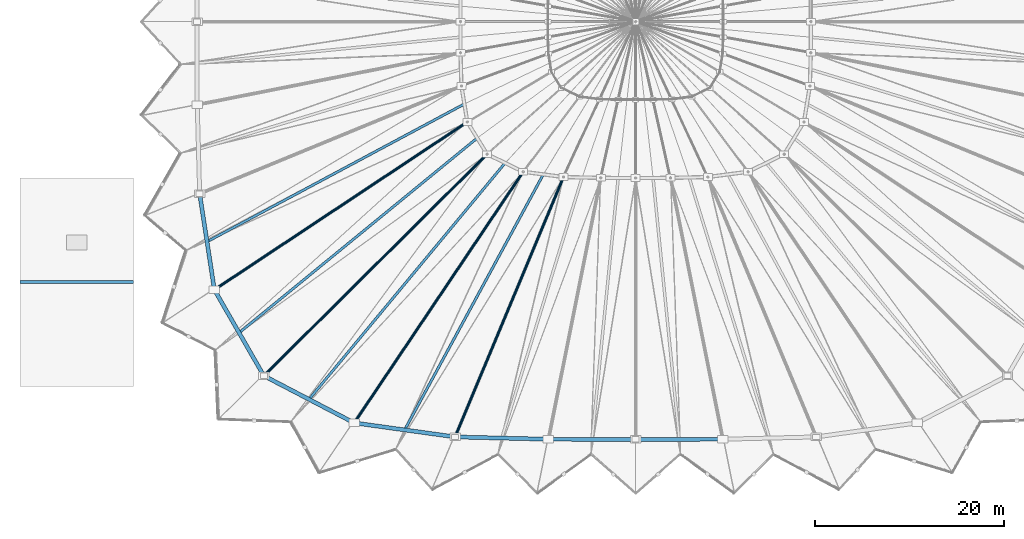
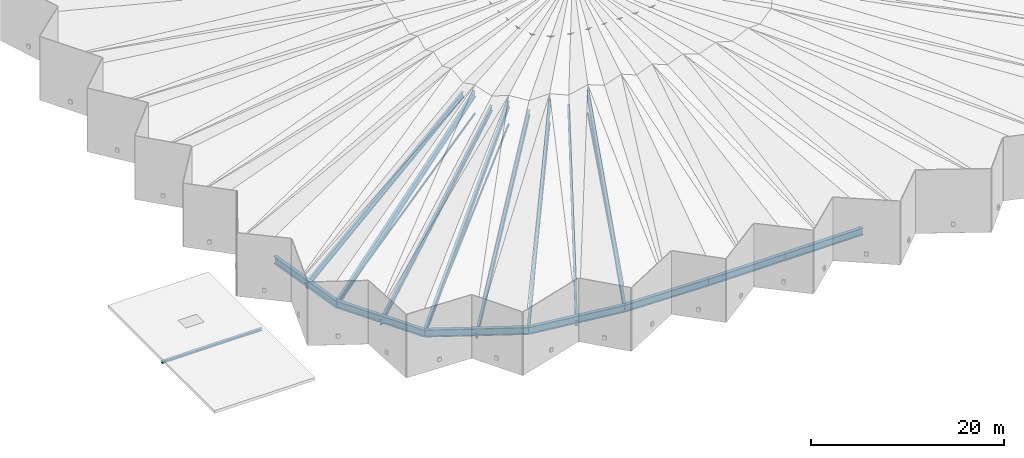
# One storey, part 1 of 41: 16 beams, 4 members.
"""IFC4 building model written with IfcOpenShell, lengths in metres."""

from ifc_helpers import new_model, si_unit, direction, frame, origin, origin_2d, place, context, subcontext, project, spatial, hollow_circle, i_section, extrude, material, material_profile, profile_set, type_object, element, save


model = new_model("IFC4")

# Units and contexts
model_context = context("Model", 3, precision=1e-05, world=origin(), true_north=direction((0.0, 1.0)))
body_context = subcontext(model_context, "Body", "Model", "MODEL_VIEW")
ifc_project = project(units=[si_unit("LENGTHUNIT", "METRE"), si_unit("AREAUNIT", "SQUARE_METRE"), si_unit("VOLUMEUNIT", "CUBIC_METRE"), si_unit("PLANEANGLEUNIT", "RADIAN"), si_unit("MASSUNIT", "GRAM", prefix="KILO")], contexts=[model_context])

# Site, building, storey
site_placement = place(None, origin())
site = spatial("IfcSite", under=ifc_project, at=site_placement, CompositionType="ELEMENT")
building_placement = place(site_placement, origin())
building = spatial("IfcBuilding", under=site, at=building_placement, Name="Luwafu Chhajja Arena", CompositionType="ELEMENT")
storey_placement = place(building_placement, frame((0.0, 0.0, 29.699951171875)))
storey = spatial("IfcBuildingStorey", under=building, at=storey_placement, Name="RF", CompositionType="ELEMENT", Elevation=29.699951171875)

# Beams
ifc_material = material(Name="Steel S355", Category="steel")
ifc_material_profile_1 = material_profile(ifc_material, i_section(OverallWidth=0.29248046875, OverallDepth=0.8408203125, WebThickness=0.0146484375, FlangeThickness=0.021728515625, at=origin_2d()), Name="UB 838x292x194")
ifc_profile_set_1 = profile_set([ifc_material_profile_1], Name="Steel S355")
beam_type_1 = type_object("IfcBeamType", Name="Folded Roof Ridge Girder UB 838x292x194", PredefinedType="BEAM", material=ifc_profile_set_1)
beam_1_placement = place(storey_placement, frame((54.52392578125, 21.194091796875, 0.179931640625), z_axis=(0.816684064873, 0.541768182582, 0.198782228895), x_axis=(-0.552800033918, 0.833313939941, 0.0)))
element("IfcBeam", 1, at=beam_1_placement, inside=storey, type_object=beam_type_1, Name="Roof truss ridge beam FR-20", PredefinedType="BEAM", context=body_context, shape_type="SweptSolid", body=[
    extrude(i_section(OverallWidth=0.29248046875, OverallDepth=0.8408203125, WebThickness=0.0146484375, FlangeThickness=0.021728515625, at=origin_2d()), origin(), (0.0, 0.0, 1.0), 32.69921875),
])
beam_2_placement = place(storey_placement, frame((59.743896484375, 12.109130859375, 0.179931640625), z_axis=(0.696441850284, 0.691435577104, 0.192056220643), x_axis=(-0.70455156187, 0.709652800083, 0.0)))
element("IfcBeam", 2, at=beam_2_placement, inside=storey, type_object=beam_type_1, Name="Roof truss ridge beam FR-21", PredefinedType="BEAM", context=body_context, shape_type="SweptSolid", body=[
    extrude(i_section(OverallWidth=0.29248046875, OverallDepth=0.8408203125, WebThickness=0.0146484375, FlangeThickness=0.021728515625, at=origin_2d()), origin(), (0.0, 0.0, 1.0), 33.84423828125),
])
beam_3_placement = place(storey_placement, frame((69.281982421875, 7.13720703125, 0.179931640625), z_axis=(0.547145201878, 0.81296218727, 0.199310336236), x_axis=(-0.829607074057, 0.558347653953, 0.0)))
element("IfcBeam", 3, at=beam_3_placement, inside=storey, type_object=beam_type_1, Name="Roof truss ridge beam FR-22", PredefinedType="BEAM", context=body_context, shape_type="SweptSolid", body=[
    extrude(i_section(OverallWidth=0.29248046875, OverallDepth=0.8408203125, WebThickness=0.0146484375, FlangeThickness=0.021728515625, at=origin_2d()), origin(), (0.0, 0.0, 1.0), 32.612548828125),
])
beam_4_placement = place(storey_placement, frame((79.932861328125, 5.6552734375, 0.179931640625), z_axis=(0.376163407682, 0.901603356714, 0.213570779564), x_axis=(-0.922896807402, 0.385047377459, 0.0)))
element("IfcBeam", 4, at=beam_4_placement, inside=storey, type_object=beam_type_1, Name="Roof truss ridge beam FR-23", PredefinedType="BEAM", context=body_context, shape_type="SweptSolid", body=[
    extrude(i_section(OverallWidth=0.29248046875, OverallDepth=0.8408203125, WebThickness=0.0146484375, FlangeThickness=0.021728515625, at=origin_2d()), origin(), (0.0, 0.0, 1.0), 30.434814453125),
])
ifc_material_profile_2 = material_profile(ifc_material, i_section(OverallWidth=0.2666015625, OverallDepth=0.76220703125, WebThickness=0.014404296875, FlangeThickness=0.021484375, at=origin_2d()), Name="UB 762x267x173")
ifc_profile_set_2 = profile_set([ifc_material_profile_2], Name="Steel S355")
beam_type_2 = type_object("IfcBeamType", Name="Folded Roof Valley Girder UB 762x267x173", PredefinedType="BEAM", material=ifc_profile_set_2)
beam_5_placement = place(storey_placement, frame((53.74609375, 26.2666015625, -0.3798828125), z_axis=(0.865967265164, 0.463406397163, 0.188029802778), x_axis=(-0.471822136154, 0.881693751727, 0.0)))
element("IfcBeam", 5, at=beam_5_placement, inside=storey, type_object=beam_type_2, Name="Roof truss valley beam FV-19", PredefinedType="BEAM", context=body_context, shape_type="SweptSolid", body=[
    extrude(i_section(OverallWidth=0.2666015625, OverallDepth=0.76220703125, WebThickness=0.014404296875, FlangeThickness=0.021484375, at=origin_2d()), origin(), (0.0, 0.0, 1.0), 31.37744140625),
])
beam_6_placement = place(storey_placement, frame((57.1337890625, 16.651611328125, -0.3798828125), z_axis=(0.761626564411, 0.622873300209, 0.178756337706), x_axis=(-0.633069920546, 0.774094616762, 0.0)))
element("IfcBeam", 6, at=beam_6_placement, inside=storey, type_object=beam_type_2, Name="Roof truss valley beam FV-20", PredefinedType="BEAM", context=body_context, shape_type="SweptSolid", body=[
    extrude(i_section(OverallWidth=0.2666015625, OverallDepth=0.76220703125, WebThickness=0.014404296875, FlangeThickness=0.021484375, at=origin_2d()), origin(), (0.0, 0.0, 1.0), 33.00537109375),
])
beam_7_placement = place(storey_placement, frame((64.512939453125, 9.623291015625, -0.3798828125), z_axis=(0.628231662991, 0.757156292795, 0.178995323672), x_axis=(-0.769585151023, 0.638544199978, 0.0)))
element("IfcBeam", 7, at=beam_7_placement, inside=storey, type_object=beam_type_2, Name="Roof truss valley beam FV-21", PredefinedType="BEAM", context=body_context, shape_type="SweptSolid", body=[
    extrude(i_section(OverallWidth=0.2666015625, OverallDepth=0.76220703125, WebThickness=0.014404296875, FlangeThickness=0.021484375, at=origin_2d()), origin(), (0.0, 0.0, 1.0), 32.961181640625),
])
beam_8_placement = place(storey_placement, frame((74.607421875, 6.396240234375, -0.3798828125), z_axis=(0.4685551844, 0.863035066768, 0.188749868081), x_axis=(-0.878831897098, 0.47713152971, 0.0)))
element("IfcBeam", 8, at=beam_8_placement, inside=storey, type_object=beam_type_2, Name="Roof truss valley beam FV-22", PredefinedType="BEAM", context=body_context, shape_type="SweptSolid", body=[
    extrude(i_section(OverallWidth=0.2666015625, OverallDepth=0.76220703125, WebThickness=0.014404296875, FlangeThickness=0.021484375, at=origin_2d()), origin(), (0.0, 0.0, 1.0), 31.2578125),
])
ifc_material_profile_3 = material_profile(ifc_material, i_section(OverallWidth=0.41845703125, OverallDepth=0.911865234375, WebThickness=0.019287109375, FlangeThickness=0.031982421875, at=origin_2d()), Name="UB 914x419x343")
ifc_profile_set_3 = profile_set([ifc_material_profile_3], Name="Steel S355")
beam_type_3 = type_object("IfcBeamType", Name="Outer Compression Ring Girder UB 914x419x343", PredefinedType="BEAM", material=ifc_profile_set_3)
beam_9_placement = place(storey_placement, frame((52.968017578125, 31.3388671875, 0.179931640625), z_axis=(0.1515977802, -0.988442265911, 0.0), x_axis=(0.988442265911, 0.1515977802, 0.0)))
element("IfcBeam", 9, at=beam_9_placement, inside=storey, type_object=beam_type_3, Name="Roof Outer Compression Ring Beam OR-19", PredefinedType="BEAM", context=body_context, shape_type="SweptSolid", body=[
    extrude(i_section(OverallWidth=0.41845703125, OverallDepth=0.911865234375, WebThickness=0.019287109375, FlangeThickness=0.031982421875, at=origin_2d()), origin(), (0.0, 0.0, 1.0), 10.263427734375),
])
beam_10_placement = place(storey_placement, frame((54.52392578125, 21.194091796875, 0.179931640625), z_axis=(0.498192671921, -0.867066353657, 0.0), x_axis=(0.867066353657, 0.498192671921, 0.0)))
element("IfcBeam", 10, at=beam_10_placement, inside=storey, type_object=beam_type_3, Name="Roof Outer Compression Ring Beam OR-20", PredefinedType="BEAM", context=body_context, shape_type="SweptSolid", body=[
    extrude(i_section(OverallWidth=0.41845703125, OverallDepth=0.911865234375, WebThickness=0.019287109375, FlangeThickness=0.031982421875, at=origin_2d()), origin(), (0.0, 0.0, 1.0), 10.477783203125),
])
beam_11_placement = place(storey_placement, frame((59.743896484375, 12.109130859375, 0.179931640625), z_axis=(0.886755170812, -0.462239404463, 0.0), x_axis=(0.462239404463, 0.886755170812, 0.0)))
element("IfcBeam", 11, at=beam_11_placement, inside=storey, type_object=beam_type_3, Name="Roof Outer Compression Ring Beam OR-21", PredefinedType="BEAM", context=body_context, shape_type="SweptSolid", body=[
    extrude(i_section(OverallWidth=0.41845703125, OverallDepth=0.911865234375, WebThickness=0.019287109375, FlangeThickness=0.031982421875, at=origin_2d()), origin(), (0.0, 0.0, 1.0), 10.756103515625),
])
beam_12_placement = place(storey_placement, frame((69.281982421875, 7.13720703125, 0.179931640625), z_axis=(0.990458730054, -0.137809666058, 0.0), x_axis=(0.137809666058, 0.990458730054, 0.0)))
element("IfcBeam", 12, at=beam_12_placement, inside=storey, type_object=beam_type_3, Name="Roof Outer Compression Ring Beam OR-22", PredefinedType="BEAM", context=body_context, shape_type="SweptSolid", body=[
    extrude(i_section(OverallWidth=0.41845703125, OverallDepth=0.911865234375, WebThickness=0.019287109375, FlangeThickness=0.031982421875, at=origin_2d()), origin(), (0.0, 0.0, 1.0), 10.75341796875),
])
beam_13_placement = place(storey_placement, frame((79.932861328125, 5.6552734375, 0.179931640625), z_axis=(0.999695420837, -0.024679253567, 0.0), x_axis=(0.024679253567, 0.999695420837, 0.0)))
element("IfcBeam", 13, at=beam_13_placement, inside=storey, type_object=beam_type_3, Name="Roof Outer Compression Ring Beam OR-23", PredefinedType="BEAM", context=body_context, shape_type="SweptSolid", body=[
    extrude(i_section(OverallWidth=0.41845703125, OverallDepth=0.911865234375, WebThickness=0.019287109375, FlangeThickness=0.031982421875, at=origin_2d()), origin(), (0.0, 0.0, 1.0), 9.86279296875),
])
for number, where, z_axis, x_axis, name in (
    (14, (89.792724609375, 5.411865234375, 0.179931640625), (0.999999155928, -0.001299285621, 0.0), (0.001299285621, 0.999999155928, 0.0), "Roof Outer Compression Ring Beam OR-24"),
    (15, (99.0, 5.39990234375, 0.179931640625), (0.999999155928, 0.001299285621, 0.0), (-0.001299285621, 0.999999155928, 0.0), "Roof Outer Compression Ring Beam OR-25"),
):
    element("IfcBeam", number, at=place(storey_placement, frame(where, z_axis=z_axis, x_axis=x_axis)), inside=storey, type_object=beam_type_3, Name=name, PredefinedType="BEAM", context=body_context, shape_type="SweptSolid", body=[
        extrude(i_section(OverallWidth=0.41845703125, OverallDepth=0.911865234375, WebThickness=0.019287109375, FlangeThickness=0.031982421875, at=origin_2d()), origin(), (0.0, 0.0, 1.0), 9.207275390625),
    ])

# Members
ifc_material_profile_4 = material_profile(ifc_material, hollow_circle(Radius=0.109619140625, WallThickness=0.010009765625, at=origin_2d()), Name="CHS 219.1x10")
ifc_profile_set_4 = profile_set([ifc_material_profile_4], Name="Steel S355")
member_type = type_object("IfcMemberType", Name="Roof Plan Wind Plan Brace CHS 219", PredefinedType="BRACE", material=ifc_profile_set_4)
member_1_placement = place(storey_placement, frame((54.52392578125, 21.194091796875, 0.179931640625), z_axis=(0.827148215095, 0.548709843245, 0.121422148686), x_axis=(-0.552800033918, 0.833313939941, 0.0)))
element("IfcMember", 16, at=member_1_placement, inside=storey, type_object=member_type, Name="Roof truss diagonal web RW-20", PredefinedType="BRACE", context=body_context, shape_type="SweptSolid", body=[
    extrude(hollow_circle(Radius=0.109619140625, WallThickness=0.010009765625, at=origin_2d()), origin(), (0.0, 0.0, 1.0), 32.285400390625),
])
member_2_placement = place(storey_placement, frame((59.743896484375, 12.109130859375, 0.179931640625), z_axis=(0.704761004197, 0.699694929963, 0.117213190164), x_axis=(-0.70455156187, 0.709652800083, 0.0)))
element("IfcMember", 17, at=member_2_placement, inside=storey, type_object=member_type, Name="Roof truss diagonal web RW-21", PredefinedType="BRACE", context=body_context, shape_type="SweptSolid", body=[
    extrude(hollow_circle(Radius=0.109619140625, WallThickness=0.010009765625, at=origin_2d()), origin(), (0.0, 0.0, 1.0), 33.44482421875),
])
member_3_placement = place(storey_placement, frame((69.281982421875, 7.13720703125, 0.179931640625), z_axis=(0.554193781547, 0.823435145316, 0.12175308601), x_axis=(-0.829607074057, 0.558347653953, 0.0)))
element("IfcMember", 18, at=member_3_placement, inside=storey, type_object=member_type, Name="Roof truss diagonal web RW-22", PredefinedType="BRACE", context=body_context, shape_type="SweptSolid", body=[
    extrude(hollow_circle(Radius=0.109619140625, WallThickness=0.010009765625, at=origin_2d()), origin(), (0.0, 0.0, 1.0), 32.19775390625),
])
member_4_placement = place(storey_placement, frame((79.932861328125, 5.6552734375, 0.179931640625), z_axis=(0.381743623517, 0.91497823908, 0.130715828862), x_axis=(-0.922896807402, 0.385047377459, 0.0)))
element("IfcMember", 19, at=member_4_placement, inside=storey, type_object=member_type, Name="Roof truss diagonal web RW-23", PredefinedType="BRACE", context=body_context, shape_type="SweptSolid", body=[
    extrude(hollow_circle(Radius=0.109619140625, WallThickness=0.010009765625, at=origin_2d()), origin(), (0.0, 0.0, 1.0), 29.989990234375),
])

# Beam
ifc_material_profile_5 = material_profile(ifc_material, i_section(OverallWidth=0.300048828125, OverallDepth=0.300048828125, WebThickness=0.010986328125, FlangeThickness=0.01904296875, at=origin_2d()), Name="HEB 300")
ifc_profile_set_5 = profile_set([ifc_material_profile_5], Name="Steel S355")
beam_type_4 = type_object("IfcBeamType", Name="Steel Core Cap Beam HEB 300", PredefinedType="BEAM", material=ifc_profile_set_5)
beam_14_placement = place(storey_placement, frame((34.0, 22.0, -0.52001953125), z_axis=(1.0, 0.0, 0.0), x_axis=(0.0, 1.0, 0.0)))
element("IfcBeam", 20, at=beam_14_placement, inside=storey, type_object=beam_type_4, Name="RF Core C1 Cap Beam M", PredefinedType="BEAM", context=body_context, shape_type="SweptSolid", body=[
    extrude(i_section(OverallWidth=0.300048828125, OverallDepth=0.300048828125, WebThickness=0.010986328125, FlangeThickness=0.01904296875, at=origin_2d()), origin(), (0.0, 0.0, 1.0), 12.0),
])

save(model, "model.ifc")
